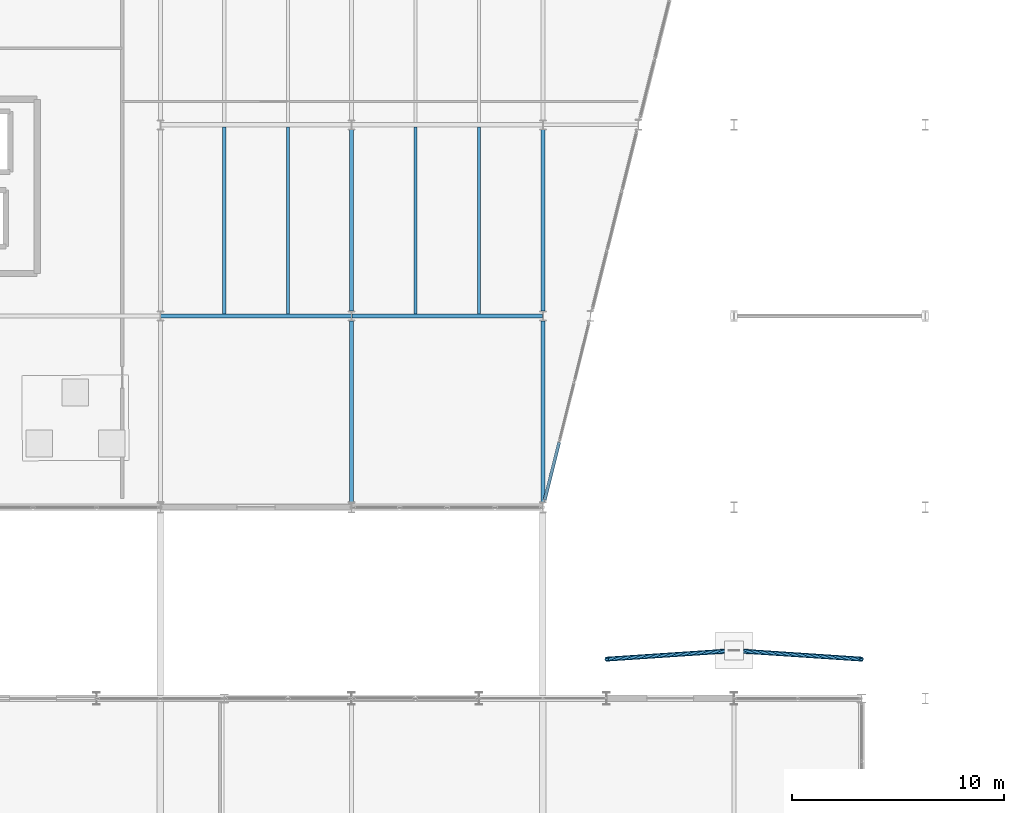
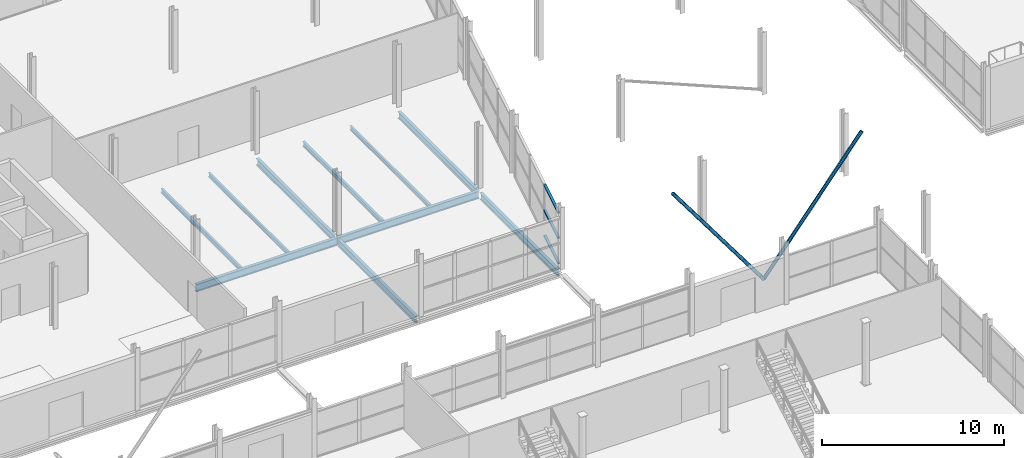
# One storey, part 52 of 140: 10 beams, 5 members, 1 element without a shape of its own.
"""IFC4 building model written with IfcOpenShell, lengths in metres."""

from ifc_helpers import new_model, si_unit, direction, frame, origin, origin_2d, place, context, subcontext, project, spatial, hollow_rectangle, hollow_circle, i_section, extrude, material, layer, layer_set, material_profile, profile_set, type_object, element, aggregate, save


model = new_model("IFC4")

# Units and contexts
model_context = context("Model", 3, precision=1e-05, world=origin(), true_north=direction((0.0, 1.0)))
body_context = subcontext(model_context, "Body", "Model", "MODEL_VIEW")
ifc_project = project(units=[si_unit("LENGTHUNIT", "METRE"), si_unit("AREAUNIT", "SQUARE_METRE"), si_unit("VOLUMEUNIT", "CUBIC_METRE"), si_unit("PLANEANGLEUNIT", "RADIAN"), si_unit("MASSUNIT", "GRAM", prefix="KILO")], contexts=[model_context])

# Site, building, storey
site_placement = place(None, origin())
site = spatial("IfcSite", under=ifc_project, at=site_placement, CompositionType="ELEMENT")
building_placement = place(site_placement, origin())
building = spatial("IfcBuilding", under=site, at=building_placement, Name="Deido Ridge Mobility Hub", CompositionType="ELEMENT")
storey_placement = place(building_placement, origin())
storey = spatial("IfcBuildingStorey", under=building, at=storey_placement, Name="L00", CompositionType="ELEMENT", Elevation=0.0)

# Beams
ifc_material_1 = material(Name="Steel S355J2 EN 10025-2", Category="steel")
ifc_material_profile_1 = material_profile(ifc_material_1, i_section(OverallWidth=0.18994140625, OverallDepth=0.449951171875, WebThickness=0.009521484375, FlangeThickness=0.0146484375, FilletRadius=0.02099609375, at=origin_2d()), Name="IPE 450")
ifc_profile_set_1 = profile_set([ifc_material_profile_1], Name="Steel S355J2 EN 10025-2")
beam_type_1 = type_object("IfcBeamType", Name="BM-IPE450", PredefinedType="BEAM", material=ifc_profile_set_1)
beam_1_placement = place(storey_placement, frame((36.0, 45.25, -0.485107421875), z_axis=(0.0, 1.0, 0.0), x_axis=(-1.0, 0.0, 0.0)))
element("IfcBeam", 1, at=beam_1_placement, inside=storey, type_object=beam_type_1, Name="Floor beam B4", PredefinedType="BEAM", context=body_context, shape_type="SweptSolid", body=[
    extrude(i_section(OverallWidth=0.18994140625, OverallDepth=0.449951171875, WebThickness=0.009521484375, FlangeThickness=0.0146484375, FilletRadius=0.02099609375, at=origin_2d()), origin(), (0.0, 0.0, 1.0), 8.52490234375),
])
beam_2_placement = place(storey_placement, frame((36.0, 54.22509765625, -0.485107421875), z_axis=(0.0, 1.0, 0.0), x_axis=(-1.0, 0.0, 0.0)))
element("IfcBeam", 2, at=beam_2_placement, inside=storey, type_object=beam_type_1, Name="Floor beam B4", PredefinedType="BEAM", context=body_context, shape_type="SweptSolid", body=[
    extrude(i_section(OverallWidth=0.18994140625, OverallDepth=0.449951171875, WebThickness=0.009521484375, FlangeThickness=0.0146484375, FilletRadius=0.02099609375, at=origin_2d()), origin(), (0.0, 0.0, 1.0), 8.5498046875),
])
beam_3_placement = place(storey_placement, frame((45.0, 45.25, -0.485107421875), z_axis=(0.0, 1.0, 0.0), x_axis=(-1.0, 0.0, 0.0)))
element("IfcBeam", 3, at=beam_3_placement, inside=storey, type_object=beam_type_1, Name="Floor beam B4", PredefinedType="BEAM", context=body_context, shape_type="SweptSolid", body=[
    extrude(i_section(OverallWidth=0.18994140625, OverallDepth=0.449951171875, WebThickness=0.009521484375, FlangeThickness=0.0146484375, FilletRadius=0.02099609375, at=origin_2d()), origin(), (0.0, 0.0, 1.0), 8.52490234375),
])
beam_4_placement = place(storey_placement, frame((45.0, 54.22509765625, -0.485107421875), z_axis=(0.0, 1.0, 0.0), x_axis=(-1.0, 0.0, 0.0)))
element("IfcBeam", 4, at=beam_4_placement, inside=storey, type_object=beam_type_1, Name="Floor beam B4", PredefinedType="BEAM", context=body_context, shape_type="SweptSolid", body=[
    extrude(i_section(OverallWidth=0.18994140625, OverallDepth=0.449951171875, WebThickness=0.009521484375, FlangeThickness=0.0146484375, FilletRadius=0.02099609375, at=origin_2d()), origin(), (0.0, 0.0, 1.0), 8.5498046875),
])
ifc_material_profile_2 = material_profile(ifc_material_1, i_section(OverallWidth=0.199951171875, OverallDepth=0.5, WebThickness=0.01025390625, FlangeThickness=0.01611328125, FilletRadius=0.02099609375, at=origin_2d()), Name="IPE 500")
ifc_profile_set_2 = profile_set([ifc_material_profile_2], Name="Steel S355J2 EN 10025-2")
beam_type_2 = type_object("IfcBeamType", Name="BM-IPE500", PredefinedType="BEAM", material=ifc_profile_set_2)
for number, where, z_axis, x_axis, name in (
    (5, (27.007080078125, 54.0, -0.510009765625), (1.0, 0.0, 0.0), (0.0, 1.0, 0.0), "Floor beam B3"),
    (6, (36.007080078125, 54.0, -0.510009765625), (1.0, 0.0, 0.0), (0.0, 1.0, 0.0), "Floor beam B3"),
):
    element("IfcBeam", number, at=place(storey_placement, frame(where, z_axis=z_axis, x_axis=x_axis)), inside=storey, type_object=beam_type_2, Name=name, PredefinedType="BEAM", context=body_context, shape_type="SweptSolid", body=[
        extrude(i_section(OverallWidth=0.199951171875, OverallDepth=0.5, WebThickness=0.01025390625, FlangeThickness=0.01611328125, FilletRadius=0.02099609375, at=origin_2d()), origin(), (0.0, 0.0, 1.0), 8.98583984375),
    ])
ifc_material_profile_3 = material_profile(ifc_material_1, i_section(OverallWidth=0.135009765625, OverallDepth=0.27001953125, WebThickness=0.006591796875, FlangeThickness=0.01025390625, FilletRadius=0.014892578125, at=origin_2d()), Name="IPE 270")
ifc_profile_set_3 = profile_set([ifc_material_profile_3], Name="Steel S355J2 EN 10025-2")
beam_type_3 = type_object("IfcBeamType", Name="JST-IPE270", PredefinedType="JOIST", material=ifc_profile_set_3)
for number, where, z_axis, x_axis, name in (
    (7, (33.0, 54.10009765625, -0.39501953125), (0.0, 1.0, 0.0), (-1.0, 0.0, 0.0), "Composite joist J4"),
    (8, (42.0, 54.10009765625, -0.39501953125), (0.0, 1.0, 0.0), (-1.0, 0.0, 0.0), "Composite joist J4"),
):
    element("IfcBeam", number, at=place(storey_placement, frame(where, z_axis=z_axis, x_axis=x_axis)), inside=storey, type_object=beam_type_3, Name=name, PredefinedType="JOIST", context=body_context, shape_type="SweptSolid", body=[
        extrude(i_section(OverallWidth=0.135009765625, OverallDepth=0.27001953125, WebThickness=0.006591796875, FlangeThickness=0.01025390625, FilletRadius=0.014892578125, at=origin_2d()), origin(), (0.0, 0.0, 1.0), 8.7998046875),
    ])
ifc_material_profile_4 = material_profile(ifc_material_1, i_section(OverallWidth=0.14990234375, OverallDepth=0.300048828125, WebThickness=0.007080078125, FlangeThickness=0.0107421875, FilletRadius=0.014892578125, at=origin_2d()), Name="IPE 300")
ifc_profile_set_4 = profile_set([ifc_material_profile_4], Name="Steel S355J2 EN 10025-2")
beam_type_4 = type_object("IfcBeamType", Name="JST-IPE300", PredefinedType="JOIST", material=ifc_profile_set_4)
for number, where, z_axis, x_axis, name in (
    (9, (30.0, 54.10009765625, -0.409912109375), (0.0, 1.0, 0.0), (-1.0, 0.0, 0.0), "Composite joist J3"),
    (10, (39.0, 54.10009765625, -0.409912109375), (0.0, 1.0, 0.0), (-1.0, 0.0, 0.0), "Composite joist J3"),
):
    element("IfcBeam", number, at=place(storey_placement, frame(where, z_axis=z_axis, x_axis=x_axis)), inside=storey, type_object=beam_type_4, Name=name, PredefinedType="JOIST", context=body_context, shape_type="SweptSolid", body=[
        extrude(i_section(OverallWidth=0.14990234375, OverallDepth=0.300048828125, WebThickness=0.007080078125, FlangeThickness=0.0107421875, FilletRadius=0.014892578125, at=origin_2d()), origin(), (0.0, 0.0, 1.0), 8.7998046875),
    ])

# Members
ifc_material_2 = material(Name="Steel S355J2H EN 10210-1", Category="steel")
ifc_material_profile_5 = material_profile(ifc_material_2, hollow_circle(Radius=0.109619140625, WallThickness=0.010009765625, at=origin_2d()), Name="CHS 219.1x10")
ifc_profile_set_5 = profile_set([ifc_material_profile_5], Name="Steel S355J2H EN 10210-1")
member_type_1 = type_object("IfcMemberType", Name="MEM-BRC-CHS219", PredefinedType="BRACE", material=ifc_profile_set_5)
for number, where, z_axis, x_axis, name in (
    (11, (54.0, 38.25, 0.1650390625), (-0.595472226682, -0.039688456515, 0.802394948682), (0.066502842363, -0.997786235602, 0.0), "Deconstructivist exoskeleton raked V-strut BR2"),
    (12, (54.0, 38.25, 0.1650390625), (0.595472226682, -0.039688456515, 0.802394948682), (0.066502842363, 0.997786235602, 0.0), "Deconstructivist exoskeleton raked V-strut BR2"),
):
    element("IfcMember", number, at=place(storey_placement, frame(where, z_axis=z_axis, x_axis=x_axis)), inside=storey, type_object=member_type_1, Name=name, PredefinedType="BRACE", context=body_context, shape_type="SweptSolid", body=[
        extrude(hollow_circle(Radius=0.109619140625, WallThickness=0.010009765625, at=origin_2d()), origin(), (0.0, 0.0, 1.0), 10.075927734375),
    ])

# Curtain wall, members
ifc_material_3 = material(Name="Anodised aluminium EN AW-6063 T6", Category="aluminium")
ifc_layer = layer(ifc_material_3, 0.22509765625, Name="Anodised aluminium EN AW-6063 T6")
ifc_layer_set = layer_set([ifc_layer], Name="Anodised aluminium EN AW-6063 T6")
curtain_wall_type = type_object("IfcCurtainWallType", Name="CW-UF-5", PredefinedType="USERDEFINED", material=ifc_layer_set)
curtain_wall_placement = place(storey_placement, origin())
curtain_wall = element("IfcCurtainWall", 13, at=curtain_wall_placement, inside=storey, type_object=curtain_wall_type, Name="Unitised curtain wall CW5", ObjectType="UNITISED FACADE", PredefinedType="USERDEFINED")
ifc_material_profile_6 = material_profile(ifc_material_3, hollow_rectangle(XDim=0.155029296875, YDim=0.074951171875, WallThickness=0.00390625, at=origin_2d()), Name="RHS 155x75x4")
ifc_profile_set_6 = profile_set([ifc_material_profile_6], Name="Anodised aluminium EN AW-6063 T6")
member_type_2 = type_object("IfcMemberType", Name="MEM-TRN-155X75", PredefinedType="USERDEFINED", material=ifc_profile_set_6)
member_1_placement = place(storey_placement, frame((45.085693359375, 45.34326171875, 0.03759765625), z_axis=(0.242576746491, 0.970132218856, 0.0), x_axis=(-0.970132218856, 0.242576746491, 0.0)))
member_1 = element("IfcMember", 14, at=member_1_placement, type_object=member_type_2, Name="CW5 transom 1.1", ObjectType="TRANSOM", PredefinedType="USERDEFINED", context=body_context, shape_type="SweptSolid", body=[
    extrude(hollow_rectangle(XDim=0.155029296875, YDim=0.074951171875, WallThickness=0.00390625, at=origin_2d()), origin(), (0.0, 0.0, 1.0), 2.7939453125),
])
member_2_placement = place(storey_placement, frame((45.085693359375, 45.34326171875, 1.737548828125), z_axis=(0.242576746491, 0.970132218856, 0.0), x_axis=(-0.970132218856, 0.242576746491, 0.0)))
member_2 = element("IfcMember", 15, at=member_2_placement, type_object=member_type_2, Name="CW5 transom 1.2", ObjectType="TRANSOM", PredefinedType="USERDEFINED", context=body_context, shape_type="SweptSolid", body=[
    extrude(hollow_rectangle(XDim=0.155029296875, YDim=0.074951171875, WallThickness=0.00390625, at=origin_2d()), origin(), (0.0, 0.0, 1.0), 2.7939453125),
])
member_3_placement = place(storey_placement, frame((45.085693359375, 45.34326171875, 3.4375), z_axis=(0.242576746491, 0.970132218856, 0.0), x_axis=(-0.970132218856, 0.242576746491, 0.0)))
member_3 = element("IfcMember", 16, at=member_3_placement, type_object=member_type_2, Name="CW5 transom 1.3", ObjectType="TRANSOM", PredefinedType="USERDEFINED", context=body_context, shape_type="SweptSolid", body=[
    extrude(hollow_rectangle(XDim=0.155029296875, YDim=0.074951171875, WallThickness=0.00390625, at=origin_2d()), origin(), (0.0, 0.0, 1.0), 2.7939453125),
])
aggregate(curtain_wall, [member_1, member_2, member_3])

save(model, "model.ifc")
